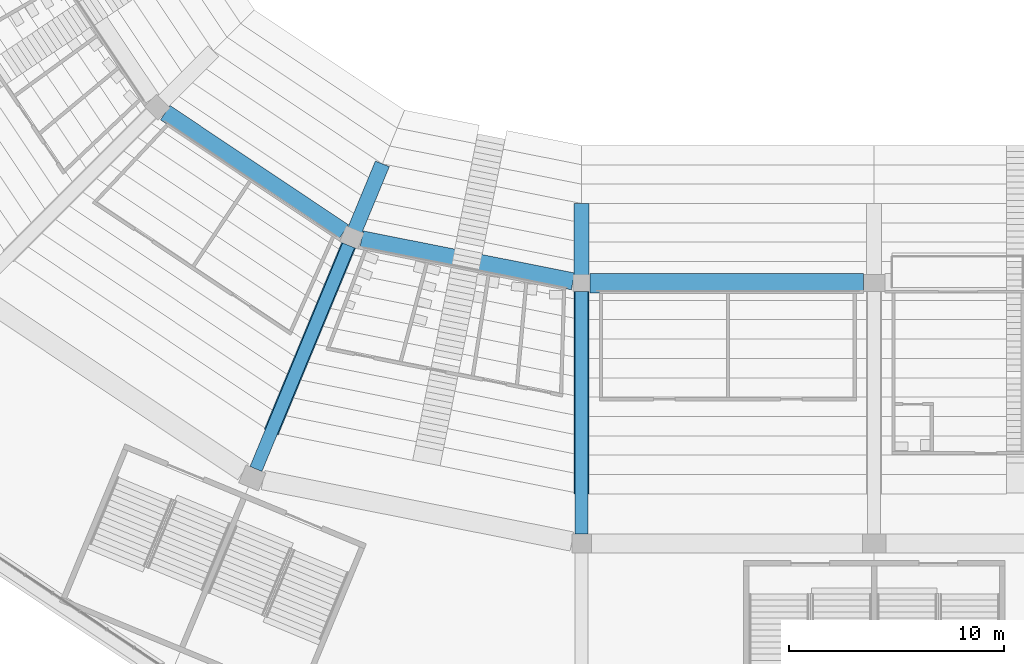
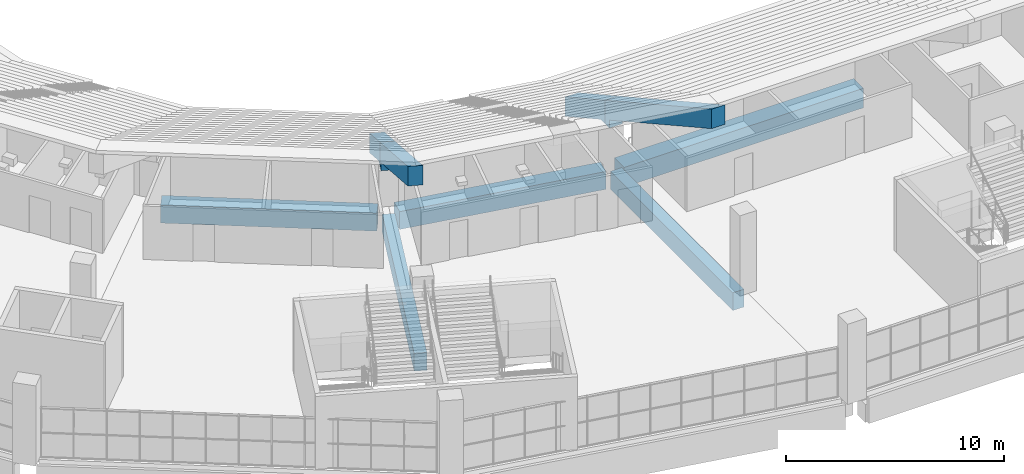
# One storey, part 7 of 249: 9 beams.
"""IFC4 building model written with IfcOpenShell, lengths in metres."""

from ifc_helpers import new_model, si_unit, direction, frame, origin, origin_2d, place, context, subcontext, project, spatial, polyline, rectangle, outline, extrude, material, material_profile, profile_set, type_object, element, save


model = new_model("IFC4")

# Units and contexts
model_context = context("Model", 3, precision=1e-05, world=origin(), true_north=direction((0.0, 1.0)))
body_context = subcontext(model_context, "Body", "Model", "MODEL_VIEW")
ifc_project = project(units=[si_unit("LENGTHUNIT", "METRE"), si_unit("AREAUNIT", "SQUARE_METRE"), si_unit("VOLUMEUNIT", "CUBIC_METRE"), si_unit("PLANEANGLEUNIT", "RADIAN"), si_unit("MASSUNIT", "GRAM", prefix="KILO")], contexts=[model_context])

# Site, building, storey
site_placement = place(None, origin())
site = spatial("IfcSite", under=ifc_project, at=site_placement, CompositionType="ELEMENT")
building_placement = place(site_placement, origin())
building = spatial("IfcBuilding", under=site, at=building_placement, Name="Ogive Plaza Stadium", CompositionType="ELEMENT")
storey_placement = place(building_placement, frame((0.0, 0.0, 13.5)))
storey = spatial("IfcBuildingStorey", under=building, at=storey_placement, Name="L03", CompositionType="ELEMENT", Elevation=13.5)

# Beams
ifc_material_1 = material(Name="Concrete C45/55 precast", Category="concrete")
ifc_material_profile_1 = material_profile(ifc_material_1, rectangle(XDim=0.699951171875, YDim=1.10009765625, at=origin_2d()), Name="RC 700x1100")
ifc_profile_set_1 = profile_set([ifc_material_profile_1], Name="Concrete C45/55 precast")
beam_type_1 = type_object("IfcBeamType", Name="Precast raker UT back-span 700x1100", PredefinedType="USERDEFINED", material=ifc_profile_set_1)
for number, where, z_axis, x_axis, name in (
    (1, (-34.0, -52.5, -13.5), (0.0, 0.0, 1.0), (0.0, -1.0, 0.0), "RAKER UT BACK-SPAN R17"),
    (2, (-34.0, -52.5, -13.5), (0.0, 0.0, 1.0), (-0.382683432365, -0.923879532511, 0.0), "RAKER UT BACK-SPAN R18"),
):
    element("IfcBeam", number, at=place(storey_placement, frame(where, z_axis=z_axis, x_axis=x_axis)), inside=storey, type_object=beam_type_1, Name=name, ObjectType="RAKER", PredefinedType="USERDEFINED", context=body_context, shape_type="SweptSolid", body=[
        extrude(outline(polyline([(27.89990234375, 15.533203125), (28.300048828125, 15.533203125), (28.300048828125, 15.977783203125), (37.699951171875, 21.199951171875), (37.699951171875, 22.300048828125), (27.89990234375, 16.855712890625), (27.89990234375, 15.533203125)])), frame((0.0, 0.35009765625, 0.0), z_axis=(0.0, -1.0, 0.0), x_axis=(1.0, 0.0, 0.0)), (0.0, 0.0, 1.0), 0.699951171875),
    ])
ifc_material_2 = material(Name="Concrete C45/55 precast", Category="concrete")
ifc_material_profile_2 = material_profile(ifc_material_2, rectangle(XDim=0.699951171875, YDim=1.10009765625, at=origin_2d()), Name="RC 700x1100")
ifc_profile_set_2 = profile_set([ifc_material_profile_2], Name="Concrete C45/55 precast")
beam_type_2 = type_object("IfcBeamType", Name="Precast raker UT cantilever 700x1100", PredefinedType="USERDEFINED", material=ifc_profile_set_2)
for number, where, z_axis, x_axis, name in (
    (3, (-34.0, -52.5, -13.5), (0.0, 0.0, 1.0), (0.0, -1.0, 0.0), "RAKER UT CANTILEVER R17"),
    (4, (-34.0, -52.5, -13.5), (0.0, 0.0, 1.0), (-0.382683432365, -0.923879532511, 0.0), "RAKER UT CANTILEVER R18"),
):
    element("IfcBeam", number, at=place(storey_placement, frame(where, z_axis=z_axis, x_axis=x_axis)), inside=storey, type_object=beam_type_2, Name=name, ObjectType="RAKER", PredefinedType="USERDEFINED", context=body_context, shape_type="SweptSolid", body=[
        extrude(outline(polyline([(24.199951171875, 13.699951171875), (27.5, 15.533203125), (27.89990234375, 15.533203125), (27.89990234375, 16.855712890625), (24.199951171875, 14.800048828125), (24.199951171875, 13.699951171875)])), frame((0.0, 0.35009765625, 0.0), z_axis=(0.0, -1.0, 0.0), x_axis=(1.0, 0.0, 0.0)), (0.0, 0.0, 1.0), 0.699951171875),
    ])
ifc_material_3 = material(Name="Concrete C40/50", Category="concrete")
ifc_material_profile_3 = material_profile(ifc_material_3, rectangle(XDim=0.60009765625, YDim=1.0, at=origin_2d()), Name="RC 600x1000")
ifc_profile_set_3 = profile_set([ifc_material_profile_3], Name="Concrete C40/50")
beam_type_3 = type_object("IfcBeamType", Name="RC radial beam 600x1000", PredefinedType="BEAM", material=ifc_profile_set_3)
beam_1_placement = place(storey_placement, frame((-34.0, -80.800048828125, -0.909912109375), z_axis=(0.0, -1.0, 0.0), x_axis=(1.0, 0.0, 0.0)))
element("IfcBeam", 5, at=beam_1_placement, inside=storey, type_object=beam_type_3, Name="Radial beam L03 R17 F3F4", PredefinedType="BEAM", context=body_context, shape_type="SweptSolid", body=[
    extrude(rectangle(XDim=0.60009765625, YDim=1.0, at=origin_2d()), origin(), (0.0, 0.0, 1.0), 11.25),
])
beam_2_placement = place(storey_placement, frame((-44.829833984375, -78.645751953125, -0.909912109375), z_axis=(-0.382677616283, -0.92388194159, 0.0), x_axis=(0.92388194159, -0.382677616283, 0.0)))
element("IfcBeam", 6, at=beam_2_placement, inside=storey, type_object=beam_type_3, Name="Radial beam L03 R18 F3F4", PredefinedType="BEAM", context=body_context, shape_type="SweptSolid", body=[
    extrude(rectangle(XDim=0.60009765625, YDim=1.0, at=origin_2d()), origin(), (0.0, 0.0, 1.0), 11.250244140625),
])
ifc_material_4 = material(Name="Concrete C40/50", Category="concrete")
ifc_material_profile_4 = material_profile(ifc_material_4, rectangle(XDim=0.800048828125, YDim=1.0, at=origin_2d()), Name="RC 800x1000")
ifc_profile_set_4 = profile_set([ifc_material_profile_4], Name="Concrete C40/50")
beam_type_4 = type_object("IfcBeamType", Name="RC ring beam 800x1000", PredefinedType="BEAM", material=ifc_profile_set_4)
beam_3_placement = place(storey_placement, frame((-34.39990234375, -80.320556640625, -0.909912109375), z_axis=(-0.980782584064, 0.195103876937, 0.0), x_axis=(-0.195103876937, -0.980782584064, 0.0)))
element("IfcBeam", 7, at=beam_3_placement, inside=storey, type_object=beam_type_4, Name="Ring beam F3 L03 B17", PredefinedType="BEAM", context=body_context, shape_type="SweptSolid", body=[
    extrude(rectangle(XDim=0.800048828125, YDim=1.0, at=origin_2d()), origin(), (0.0, 0.0, 1.0), 10.01953125),
])
beam_4_placement = place(storey_placement, frame((-45.058349609375, -78.021240234375, -0.909912109375), z_axis=(-0.831469573595, 0.555570290949, 0.0), x_axis=(-0.555570290949, -0.831469573595, 0.0)))
element("IfcBeam", 8, at=beam_4_placement, inside=storey, type_object=beam_type_4, Name="Ring beam F3 L03 B18", PredefinedType="BEAM", context=body_context, shape_type="SweptSolid", body=[
    extrude(rectangle(XDim=0.800048828125, YDim=1.0, at=origin_2d()), origin(), (0.0, 0.0, 1.0), 9.96826171875),
])
ifc_material_5 = material(Name="Concrete C40/50", Category="concrete")
ifc_material_profile_5 = material_profile(ifc_material_5, rectangle(XDim=0.89990234375, YDim=1.10009765625, at=origin_2d()), Name="RC 900x1100")
ifc_profile_set_5 = profile_set([ifc_material_profile_5], Name="Concrete C40/50")
beam_type_5 = type_object("IfcBeamType", Name="RC ring beam 900x1100", PredefinedType="BEAM", material=ifc_profile_set_5)
beam_5_placement = place(storey_placement, frame((-20.89990234375, -80.39990234375, -0.9599609375), z_axis=(-1.0, 0.0, 0.0), x_axis=(0.0, -1.0, 0.0)))
element("IfcBeam", 9, at=beam_5_placement, inside=storey, type_object=beam_type_5, Name="Ring beam F3 L03 B16", PredefinedType="BEAM", context=body_context, shape_type="SweptSolid", body=[
    extrude(rectangle(XDim=0.89990234375, YDim=1.10009765625, at=origin_2d()), origin(), (0.0, 0.0, 1.0), 12.7001953125),
])

save(model, "model.ifc")
